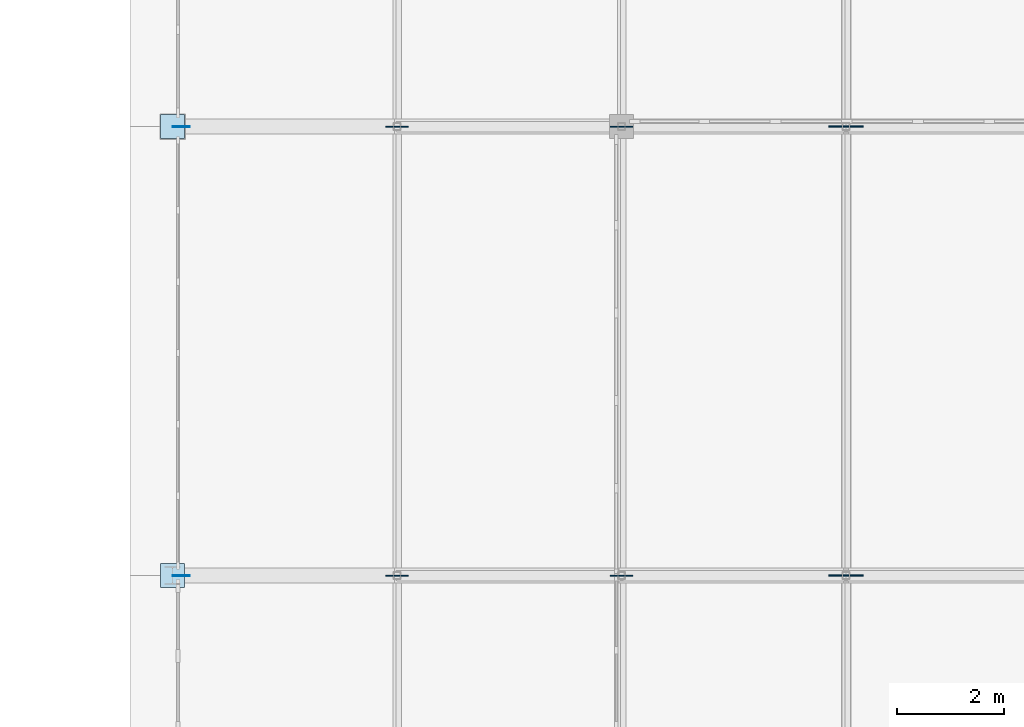
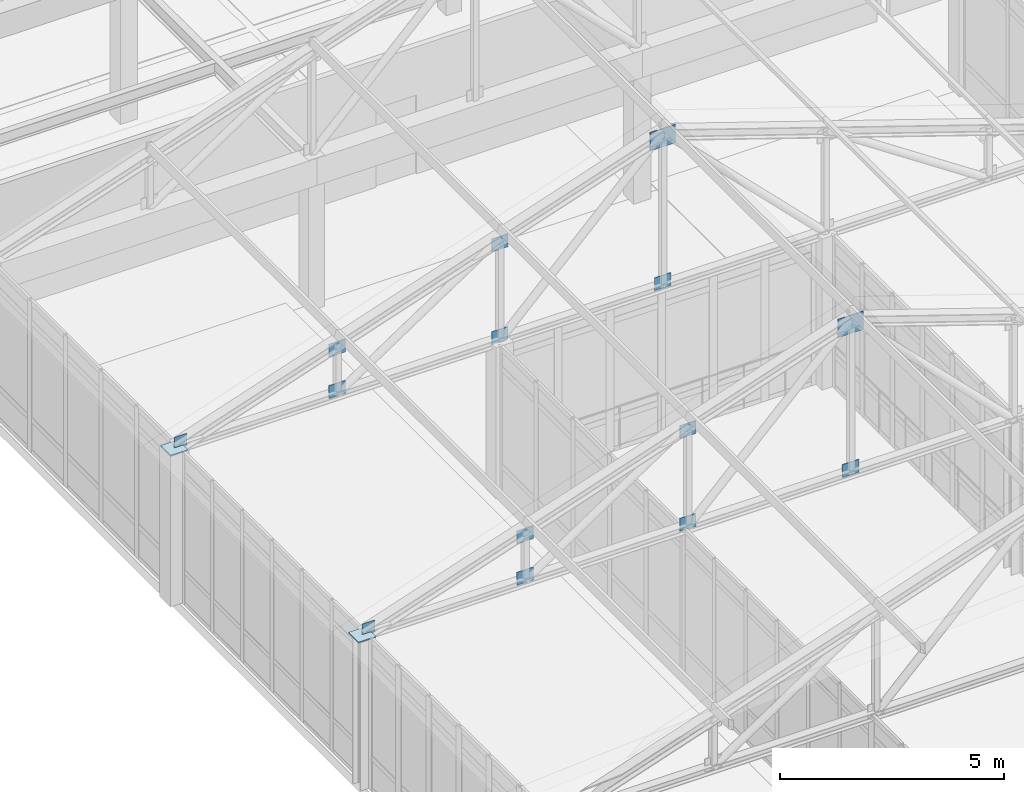
# One storey, part 149 of 192: 16 plates.
"""IFC4 building model written with IfcOpenShell, lengths in metres."""

from ifc_helpers import new_model, si_unit, direction, frame, origin, origin_2d, place, context, subcontext, project, spatial, rectangle, extrude, material, layer, layer_set, type_object, element, save


model = new_model("IFC4")

# Units and contexts
model_context = context("Model", 3, precision=1e-05, world=origin(), true_north=direction((0.0, 1.0)))
body_context = subcontext(model_context, "Body", "Model", "MODEL_VIEW")
ifc_project = project(units=[si_unit("LENGTHUNIT", "METRE"), si_unit("AREAUNIT", "SQUARE_METRE"), si_unit("VOLUMEUNIT", "CUBIC_METRE"), si_unit("PLANEANGLEUNIT", "RADIAN"), si_unit("MASSUNIT", "GRAM", prefix="KILO")], contexts=[model_context])

# Site, building, storey
site_placement = place(None, origin())
site = spatial("IfcSite", under=ifc_project, at=site_placement, CompositionType="ELEMENT")
building_placement = place(site_placement, origin())
building = spatial("IfcBuilding", under=site, at=building_placement, Name="Kveldsbrygga Polytechnic", CompositionType="ELEMENT")
storey_placement = place(building_placement, frame((0.0, 0.0, 5.43994140625)))
storey = spatial("IfcBuildingStorey", under=building, at=storey_placement, Name="L01", CompositionType="ELEMENT", Elevation=5.43994140625)

# Plates
ifc_material = material(Name="Steel S355", Category="steel")
ifc_layer_1 = layer(ifc_material, 0.030029296875)
ifc_layer_set_1 = layer_set([ifc_layer_1], Name="Steel S355")
plate_type_1 = type_object("IfcPlateType", Name="CAP-BEAR-450", PredefinedType="SHEET", material=ifc_layer_set_1)
for number, where, z_axis, x_axis, name in (
    (1, (50.39990234375, 67.199951171875, 4.08984375), (0.0, 0.0, 1.0), (1.0, 0.0, 0.0), "Truss Bearing Plate V5C-T08-A"),
    (2, (50.39990234375, 75.60009765625, 4.08984375), (0.0, 0.0, 1.0), (1.0, 0.0, 0.0), "Truss Bearing Plate V5C-T09-A"),
):
    element("IfcPlate", number, at=place(storey_placement, frame(where, z_axis=z_axis, x_axis=x_axis)), inside=storey, type_object=plate_type_1, Name=name, PredefinedType="SHEET", context=body_context, shape_type="SweptSolid", body=[
        extrude(rectangle(XDim=0.449951171875, YDim=0.449951171875, at=origin_2d()), origin(), (0.0, 0.0, 1.0), 0.030029296875),
    ])
ifc_layer_2 = layer(ifc_material, 0.02490234375)
ifc_layer_set_2 = layer_set([ifc_layer_2], Name="Steel S355")
plate_type_2 = type_object("IfcPlateType", Name="GUS-APEX-650", PredefinedType="SHEET", material=ifc_layer_set_2)
for number, where, z_axis, x_axis, name in (
    (3, (63.0, 67.199951171875, 7.920166015625), (0.0, 0.0, 1.0), (1.0, 0.0, 0.0), "Truss Gusset Plate V5C-T08-GP-3"),
    (4, (63.0, 75.60009765625, 7.920166015625), (0.0, 0.0, 1.0), (1.0, 0.0, 0.0), "Truss Gusset Plate V5C-T09-GP-3"),
):
    element("IfcPlate", number, at=place(storey_placement, frame(where, z_axis=z_axis, x_axis=x_axis)), inside=storey, type_object=plate_type_2, Name=name, PredefinedType="SHEET", context=body_context, shape_type="SweptSolid", body=[
        extrude(rectangle(XDim=0.64990234375, YDim=0.02490234375, at=origin_2d()), origin(), (0.0, 0.0, 1.0), 0.5),
    ])
ifc_layer_3 = layer(ifc_material, 0.01806640625)
ifc_layer_set_3 = layer_set([ifc_layer_3], Name="Steel S355")
plate_type_3 = type_object("IfcPlateType", Name="GUS-BRACE-320", PredefinedType="SHEET", material=ifc_layer_set_3)
for number, where, z_axis, x_axis, name in (
    (5, (50.56005859375, 67.199951171875, 4.080078125), (0.0, 0.0, 1.0), (1.0, 0.0, 0.0), "Truss Eaves Node Gusset V5C-T08-EGP-A"),
    (6, (50.56005859375, 75.60009765625, 4.080078125), (0.0, 0.0, 1.0), (1.0, 0.0, 0.0), "Truss Eaves Node Gusset V5C-T09-EGP-A"),
):
    element("IfcPlate", number, at=place(storey_placement, frame(where, z_axis=z_axis, x_axis=x_axis)), inside=storey, type_object=plate_type_3, Name=name, PredefinedType="SHEET", context=body_context, shape_type="SweptSolid", body=[
        extrude(rectangle(XDim=0.320068359375, YDim=0.01806640625, at=origin_2d()), origin(), (0.0, 0.0, 1.0), 0.320068359375),
    ])
ifc_layer_4 = layer(ifc_material, 0.02001953125)
ifc_layer_set_4 = layer_set([ifc_layer_4], Name="Steel S355")
plate_type_4 = type_object("IfcPlateType", Name="GUS-LECT-420", PredefinedType="SHEET", material=ifc_layer_set_4)
for number, where, z_axis, x_axis, name in (
    (7, (54.60009765625, 67.199951171875, 5.195068359375), (0.0, 0.0, 1.0), (1.0, 0.0, 0.0), "Truss Gusset Plate V5C-T08-GP-1"),
    (8, (54.60009765625, 67.199951171875, 4.06494140625), (0.0, 0.0, 1.0), (1.0, 0.0, 0.0), "Truss Bottom-Chord Node Gusset V5C-T08-BGP-1"),
    (9, (58.800048828125, 67.199951171875, 6.594970703125), (0.0, 0.0, 1.0), (1.0, 0.0, 0.0), "Truss Gusset Plate V5C-T08-GP-2"),
    (10, (58.800048828125, 67.199951171875, 4.06494140625), (0.0, 0.0, 1.0), (1.0, 0.0, 0.0), "Truss Bottom-Chord Node Gusset V5C-T08-BGP-2"),
    (11, (63.0, 67.199951171875, 4.06494140625), (0.0, 0.0, 1.0), (1.0, 0.0, 0.0), "Truss Bottom-Chord Node Gusset V5C-T08-BGP-3"),
    (12, (54.60009765625, 75.60009765625, 5.195068359375), (0.0, 0.0, 1.0), (1.0, 0.0, 0.0), "Truss Gusset Plate V5C-T09-GP-1"),
    (13, (54.60009765625, 75.60009765625, 4.06494140625), (0.0, 0.0, 1.0), (1.0, 0.0, 0.0), "Truss Bottom-Chord Node Gusset V5C-T09-BGP-1"),
    (14, (58.800048828125, 75.60009765625, 6.594970703125), (0.0, 0.0, 1.0), (1.0, 0.0, 0.0), "Truss Gusset Plate V5C-T09-GP-2"),
    (15, (58.800048828125, 75.60009765625, 4.06494140625), (0.0, 0.0, 1.0), (1.0, 0.0, 0.0), "Truss Bottom-Chord Node Gusset V5C-T09-BGP-2"),
    (16, (63.0, 75.60009765625, 4.06494140625), (0.0, 0.0, 1.0), (1.0, 0.0, 0.0), "Truss Bottom-Chord Node Gusset V5C-T09-BGP-3"),
):
    element("IfcPlate", number, at=place(storey_placement, frame(where, z_axis=z_axis, x_axis=x_axis)), inside=storey, type_object=plate_type_4, Name=name, PredefinedType="SHEET", context=body_context, shape_type="SweptSolid", body=[
        extrude(rectangle(XDim=0.419921875, YDim=0.02001953125, at=origin_2d()), origin(), (0.0, 0.0, 1.0), 0.35009765625),
    ])

save(model, "model.ifc")
